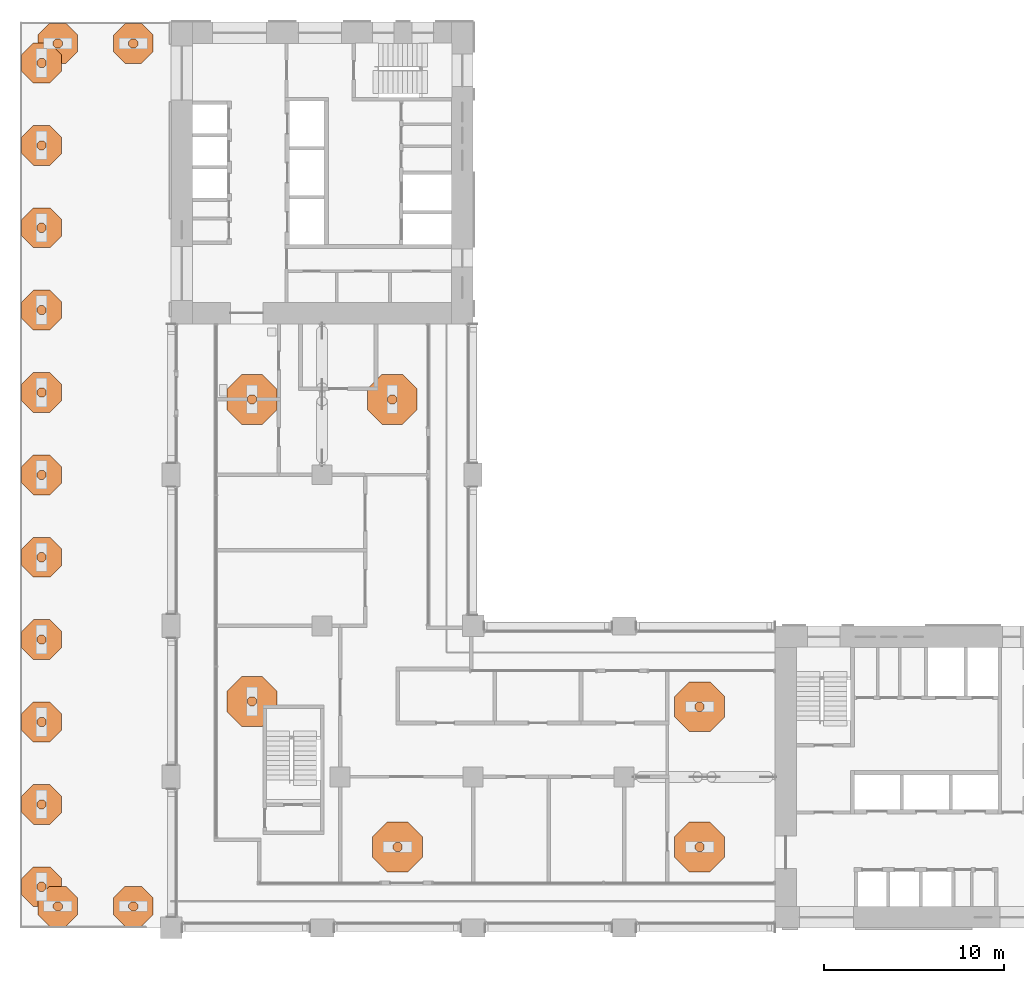
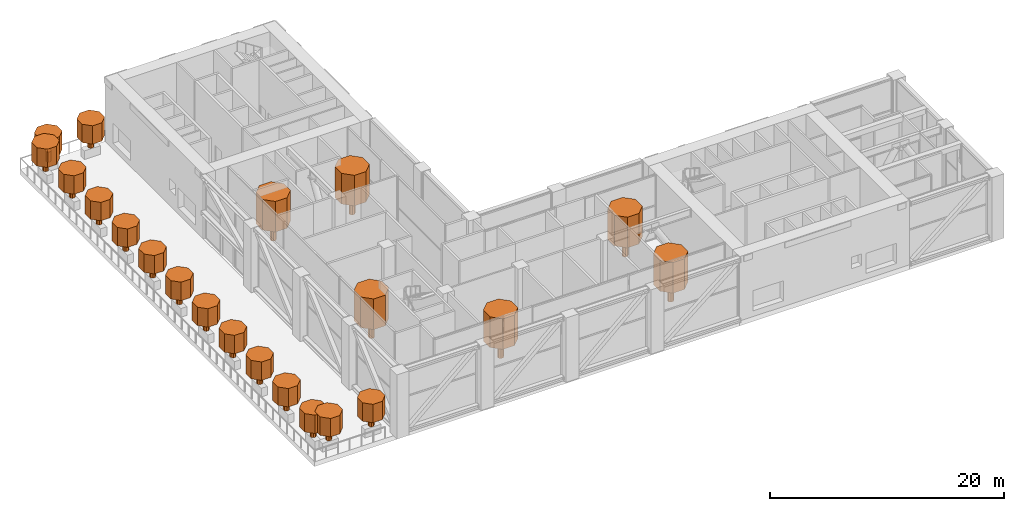
# One storey, part 22 of 22: 42 geographic elements.
"""IFC4 building model written with IfcOpenShell, lengths in metres."""

from ifc_helpers import new_model, si_unit, direction, frame, origin, place, context, subcontext, project, spatial, polyline, outline, extrude, material, element, save


model = new_model("IFC4")

# Units and contexts
model_context = context("Model", 3, precision=1e-05, world=origin(), true_north=direction((0.0, 1.0)))
body_context = subcontext(model_context, "Body", "Model", "MODEL_VIEW")
ifc_project = project(units=[si_unit("LENGTHUNIT", "METRE"), si_unit("AREAUNIT", "SQUARE_METRE"), si_unit("VOLUMEUNIT", "CUBIC_METRE"), si_unit("PLANEANGLEUNIT", "RADIAN"), si_unit("MASSUNIT", "GRAM", prefix="KILO")], contexts=[model_context])

# Site, building, storey
site_placement = place(None, origin())
site = spatial("IfcSite", under=ifc_project, at=site_placement, CompositionType="ELEMENT")
building_placement = place(site_placement, origin())
building = spatial("IfcBuilding", under=site, at=building_placement, Name="Vermilion Gate Residences", CompositionType="ELEMENT")
storey_placement = place(building_placement, frame((0.0, 0.0, 140.699951171875)))
storey = spatial("IfcBuildingStorey", under=building, at=storey_placement, Name="L36", CompositionType="ELEMENT", Elevation=140.699951171875)

# Geographic elements
ifc_material = material(Name="Foliage")
geographic_element_1_placement = place(storey_placement, frame((0.0, 0.0, 0.900146484375)))
element("IfcGeographicElement", 1, at=geographic_element_1_placement, inside=storey, material=ifc_material, Name="Tree (black pine)", ObjectType="TREE", PredefinedType="USERDEFINED", context=body_context, shape_type="SweptSolid", body=[
    extrude(outline(polyline([(2.35400390625, 9.705078125), (2.205078125, 9.85400390625), (1.994873046875, 9.85400390625), (1.845947265625, 9.705078125), (1.845947265625, 9.494873046875), (1.994873046875, 9.345947265625), (2.205078125, 9.345947265625), (2.35400390625, 9.494873046875), (2.35400390625, 9.705078125)])), origin(), (0.0, 0.0, 1.0), 1.079833984375),
])
geographic_element_2_placement = place(storey_placement, frame((0.0, 0.0, 1.97998046875)))
element("IfcGeographicElement", 2, at=geographic_element_2_placement, inside=storey, material=ifc_material, Name="Tree crown (black pine)", ObjectType="TREE", PredefinedType="USERDEFINED", context=body_context, shape_type="SweptSolid", body=[
    extrude(outline(polyline([(3.208740234375, 10.05908203125), (2.55908203125, 10.708740234375), (1.640869140625, 10.708740234375), (0.9912109375, 10.05908203125), (0.9912109375, 9.140869140625), (1.640869140625, 8.4912109375), (2.55908203125, 8.4912109375), (3.208740234375, 9.140869140625), (3.208740234375, 10.05908203125)])), origin(), (0.0, 0.0, 1.0), 1.920166015625),
])
geographic_element_3_placement = place(storey_placement, frame((0.0, 0.0, 0.900146484375)))
element("IfcGeographicElement", 3, at=geographic_element_3_placement, inside=storey, material=ifc_material, Name="Tree (fringe tree)", ObjectType="TREE", PredefinedType="USERDEFINED", context=body_context, shape_type="SweptSolid", body=[
    extrude(outline(polyline([(6.55419921875, 9.705078125), (6.4052734375, 9.85400390625), (6.19482421875, 9.85400390625), (6.0458984375, 9.705078125), (6.0458984375, 9.494873046875), (6.19482421875, 9.345947265625), (6.4052734375, 9.345947265625), (6.55419921875, 9.494873046875), (6.55419921875, 9.705078125)])), origin(), (0.0, 0.0, 1.0), 1.079833984375),
])
geographic_element_4_placement = place(storey_placement, frame((0.0, 0.0, 1.97998046875)))
element("IfcGeographicElement", 4, at=geographic_element_4_placement, inside=storey, material=ifc_material, Name="Tree crown (fringe tree)", ObjectType="TREE", PredefinedType="USERDEFINED", context=body_context, shape_type="SweptSolid", body=[
    extrude(outline(polyline([(7.40869140625, 10.05908203125), (6.75927734375, 10.708740234375), (5.8408203125, 10.708740234375), (5.19140625, 10.05908203125), (5.19140625, 9.140869140625), (5.8408203125, 8.4912109375), (6.75927734375, 8.4912109375), (7.40869140625, 9.140869140625), (7.40869140625, 10.05908203125)])), origin(), (0.0, 0.0, 1.0), 1.920166015625),
])
geographic_element_5_placement = place(storey_placement, frame((0.0, 0.0, 0.900146484375)))
element("IfcGeographicElement", 5, at=geographic_element_5_placement, inside=storey, material=ifc_material, Name="Tree (fringe tree)", ObjectType="TREE", PredefinedType="USERDEFINED", context=body_context, shape_type="SweptSolid", body=[
    extrude(outline(polyline([(6.55419921875, 57.705078125), (6.4052734375, 57.85400390625), (6.19482421875, 57.85400390625), (6.0458984375, 57.705078125), (6.0458984375, 57.494873046875), (6.19482421875, 57.345947265625), (6.4052734375, 57.345947265625), (6.55419921875, 57.494873046875), (6.55419921875, 57.705078125)])), origin(), (0.0, 0.0, 1.0), 1.079833984375),
])
geographic_element_6_placement = place(storey_placement, frame((0.0, 0.0, 1.97998046875)))
element("IfcGeographicElement", 6, at=geographic_element_6_placement, inside=storey, material=ifc_material, Name="Tree crown (fringe tree)", ObjectType="TREE", PredefinedType="USERDEFINED", context=body_context, shape_type="SweptSolid", body=[
    extrude(outline(polyline([(7.40869140625, 58.05908203125), (6.75927734375, 58.708740234375), (5.8408203125, 58.708740234375), (5.19140625, 58.05908203125), (5.19140625, 57.140869140625), (5.8408203125, 56.4912109375), (6.75927734375, 56.4912109375), (7.40869140625, 57.140869140625), (7.40869140625, 58.05908203125)])), origin(), (0.0, 0.0, 1.0), 1.920166015625),
])
geographic_element_7_placement = place(storey_placement, frame((0.0, 0.0, 0.900146484375)))
element("IfcGeographicElement", 7, at=geographic_element_7_placement, inside=storey, material=ifc_material, Name="Tree (maple)", ObjectType="TREE", PredefinedType="USERDEFINED", context=body_context, shape_type="SweptSolid", body=[
    extrude(outline(polyline([(2.35400390625, 57.705078125), (2.205078125, 57.85400390625), (1.994873046875, 57.85400390625), (1.845947265625, 57.705078125), (1.845947265625, 57.494873046875), (1.994873046875, 57.345947265625), (2.205078125, 57.345947265625), (2.35400390625, 57.494873046875), (2.35400390625, 57.705078125)])), origin(), (0.0, 0.0, 1.0), 1.079833984375),
])
geographic_element_8_placement = place(storey_placement, frame((0.0, 0.0, 1.97998046875)))
element("IfcGeographicElement", 8, at=geographic_element_8_placement, inside=storey, material=ifc_material, Name="Tree crown (maple)", ObjectType="TREE", PredefinedType="USERDEFINED", context=body_context, shape_type="SweptSolid", body=[
    extrude(outline(polyline([(3.208740234375, 58.05908203125), (2.55908203125, 58.708740234375), (1.640869140625, 58.708740234375), (0.9912109375, 58.05908203125), (0.9912109375, 57.140869140625), (1.640869140625, 56.4912109375), (2.55908203125, 56.4912109375), (3.208740234375, 57.140869140625), (3.208740234375, 58.05908203125)])), origin(), (0.0, 0.0, 1.0), 1.920166015625),
])
geographic_element_9_placement = place(storey_placement, frame((0.0, 0.0, 0.900146484375)))
element("IfcGeographicElement", 9, at=geographic_element_9_placement, inside=storey, material=ifc_material, Name="Tree (maple)", ObjectType="TREE", PredefinedType="USERDEFINED", context=body_context, shape_type="SweptSolid", body=[
    extrude(outline(polyline([(1.4541015625, 56.6142578125), (1.30517578125, 56.76318359375), (1.0947265625, 56.76318359375), (0.94580078125, 56.6142578125), (0.94580078125, 56.40380859375), (1.0947265625, 56.2548828125), (1.30517578125, 56.2548828125), (1.4541015625, 56.40380859375), (1.4541015625, 56.6142578125)])), origin(), (0.0, 0.0, 1.0), 1.079833984375),
])
geographic_element_10_placement = place(storey_placement, frame((0.0, 0.0, 1.97998046875)))
element("IfcGeographicElement", 10, at=geographic_element_10_placement, inside=storey, material=ifc_material, Name="Tree crown (maple)", ObjectType="TREE", PredefinedType="USERDEFINED", context=body_context, shape_type="SweptSolid", body=[
    extrude(outline(polyline([(2.30859375, 56.96826171875), (1.6591796875, 57.61767578125), (0.74072265625, 57.61767578125), (0.09130859375, 56.96826171875), (0.09130859375, 56.0498046875), (0.74072265625, 55.400390625), (1.6591796875, 55.400390625), (2.30859375, 56.0498046875), (2.30859375, 56.96826171875)])), origin(), (0.0, 0.0, 1.0), 1.920166015625),
])
geographic_element_11_placement = place(storey_placement, frame((0.0, 0.0, 0.900146484375)))
element("IfcGeographicElement", 11, at=geographic_element_11_placement, inside=storey, material=ifc_material, Name="Tree (zelkova)", ObjectType="TREE", PredefinedType="USERDEFINED", context=body_context, shape_type="SweptSolid", body=[
    extrude(outline(polyline([(1.4541015625, 52.032470703125), (1.30517578125, 52.181396484375), (1.0947265625, 52.181396484375), (0.94580078125, 52.032470703125), (0.94580078125, 51.822021484375), (1.0947265625, 51.673095703125), (1.30517578125, 51.673095703125), (1.4541015625, 51.822021484375), (1.4541015625, 52.032470703125)])), origin(), (0.0, 0.0, 1.0), 1.079833984375),
])
geographic_element_12_placement = place(storey_placement, frame((0.0, 0.0, 1.97998046875)))
element("IfcGeographicElement", 12, at=geographic_element_12_placement, inside=storey, material=ifc_material, Name="Tree crown (zelkova)", ObjectType="TREE", PredefinedType="USERDEFINED", context=body_context, shape_type="SweptSolid", body=[
    extrude(outline(polyline([(2.30859375, 52.386474609375), (1.6591796875, 53.035888671875), (0.74072265625, 53.035888671875), (0.09130859375, 52.386474609375), (0.09130859375, 51.468017578125), (0.74072265625, 50.818603515625), (1.6591796875, 50.818603515625), (2.30859375, 51.468017578125), (2.30859375, 52.386474609375)])), origin(), (0.0, 0.0, 1.0), 1.920166015625),
])
geographic_element_13_placement = place(storey_placement, frame((0.0, 0.0, 0.900146484375)))
element("IfcGeographicElement", 13, at=geographic_element_13_placement, inside=storey, material=ifc_material, Name="Tree (black pine)", ObjectType="TREE", PredefinedType="USERDEFINED", context=body_context, shape_type="SweptSolid", body=[
    extrude(outline(polyline([(1.4541015625, 47.45068359375), (1.30517578125, 47.599609375), (1.0947265625, 47.599609375), (0.94580078125, 47.45068359375), (0.94580078125, 47.240234375), (1.0947265625, 47.09130859375), (1.30517578125, 47.09130859375), (1.4541015625, 47.240234375), (1.4541015625, 47.45068359375)])), origin(), (0.0, 0.0, 1.0), 1.079833984375),
])
geographic_element_14_placement = place(storey_placement, frame((0.0, 0.0, 1.97998046875)))
element("IfcGeographicElement", 14, at=geographic_element_14_placement, inside=storey, material=ifc_material, Name="Tree crown (black pine)", ObjectType="TREE", PredefinedType="USERDEFINED", context=body_context, shape_type="SweptSolid", body=[
    extrude(outline(polyline([(2.30859375, 47.8046875), (1.6591796875, 48.4541015625), (0.74072265625, 48.4541015625), (0.09130859375, 47.8046875), (0.09130859375, 46.88623046875), (0.74072265625, 46.23681640625), (1.6591796875, 46.23681640625), (2.30859375, 46.88623046875), (2.30859375, 47.8046875)])), origin(), (0.0, 0.0, 1.0), 1.920166015625),
])
geographic_element_15_placement = place(storey_placement, frame((0.0, 0.0, 0.900146484375)))
element("IfcGeographicElement", 15, at=geographic_element_15_placement, inside=storey, material=ifc_material, Name="Tree (fringe tree)", ObjectType="TREE", PredefinedType="USERDEFINED", context=body_context, shape_type="SweptSolid", body=[
    extrude(outline(polyline([(1.4541015625, 42.868896484375), (1.30517578125, 43.017578125), (1.0947265625, 43.017578125), (0.94580078125, 42.868896484375), (0.94580078125, 42.658447265625), (1.0947265625, 42.509521484375), (1.30517578125, 42.509521484375), (1.4541015625, 42.658447265625), (1.4541015625, 42.868896484375)])), origin(), (0.0, 0.0, 1.0), 1.079833984375),
])
geographic_element_16_placement = place(storey_placement, frame((0.0, 0.0, 1.97998046875)))
element("IfcGeographicElement", 16, at=geographic_element_16_placement, inside=storey, material=ifc_material, Name="Tree crown (fringe tree)", ObjectType="TREE", PredefinedType="USERDEFINED", context=body_context, shape_type="SweptSolid", body=[
    extrude(outline(polyline([(2.30859375, 43.222900390625), (1.6591796875, 43.872314453125), (0.74072265625, 43.872314453125), (0.09130859375, 43.222900390625), (0.09130859375, 42.304443359375), (0.74072265625, 41.655029296875), (1.6591796875, 41.655029296875), (2.30859375, 42.304443359375), (2.30859375, 43.222900390625)])), origin(), (0.0, 0.0, 1.0), 1.920166015625),
])
geographic_element_17_placement = place(storey_placement, frame((0.0, 0.0, 0.900146484375)))
element("IfcGeographicElement", 17, at=geographic_element_17_placement, inside=storey, material=ifc_material, Name="Tree (maple)", ObjectType="TREE", PredefinedType="USERDEFINED", context=body_context, shape_type="SweptSolid", body=[
    extrude(outline(polyline([(1.4541015625, 38.287109375), (1.30517578125, 38.435791015625), (1.0947265625, 38.435791015625), (0.94580078125, 38.287109375), (0.94580078125, 38.07666015625), (1.0947265625, 37.927734375), (1.30517578125, 37.927734375), (1.4541015625, 38.07666015625), (1.4541015625, 38.287109375)])), origin(), (0.0, 0.0, 1.0), 1.079833984375),
])
geographic_element_18_placement = place(storey_placement, frame((0.0, 0.0, 1.97998046875)))
element("IfcGeographicElement", 18, at=geographic_element_18_placement, inside=storey, material=ifc_material, Name="Tree crown (maple)", ObjectType="TREE", PredefinedType="USERDEFINED", context=body_context, shape_type="SweptSolid", body=[
    extrude(outline(polyline([(2.30859375, 38.64111328125), (1.6591796875, 39.29052734375), (0.74072265625, 39.29052734375), (0.09130859375, 38.64111328125), (0.09130859375, 37.72265625), (0.74072265625, 37.0732421875), (1.6591796875, 37.0732421875), (2.30859375, 37.72265625), (2.30859375, 38.64111328125)])), origin(), (0.0, 0.0, 1.0), 1.920166015625),
])
geographic_element_19_placement = place(storey_placement, frame((0.0, 0.0, 0.900146484375)))
element("IfcGeographicElement", 19, at=geographic_element_19_placement, inside=storey, material=ifc_material, Name="Tree (zelkova)", ObjectType="TREE", PredefinedType="USERDEFINED", context=body_context, shape_type="SweptSolid", body=[
    extrude(outline(polyline([(1.4541015625, 33.705078125), (1.30517578125, 33.85400390625), (1.0947265625, 33.85400390625), (0.94580078125, 33.705078125), (0.94580078125, 33.494873046875), (1.0947265625, 33.345947265625), (1.30517578125, 33.345947265625), (1.4541015625, 33.494873046875), (1.4541015625, 33.705078125)])), origin(), (0.0, 0.0, 1.0), 1.079833984375),
])
geographic_element_20_placement = place(storey_placement, frame((0.0, 0.0, 1.97998046875)))
element("IfcGeographicElement", 20, at=geographic_element_20_placement, inside=storey, material=ifc_material, Name="Tree crown (zelkova)", ObjectType="TREE", PredefinedType="USERDEFINED", context=body_context, shape_type="SweptSolid", body=[
    extrude(outline(polyline([(2.30859375, 34.05908203125), (1.6591796875, 34.708740234375), (0.74072265625, 34.708740234375), (0.09130859375, 34.05908203125), (0.09130859375, 33.140869140625), (0.74072265625, 32.4912109375), (1.6591796875, 32.4912109375), (2.30859375, 33.140869140625), (2.30859375, 34.05908203125)])), origin(), (0.0, 0.0, 1.0), 1.920166015625),
])
geographic_element_21_placement = place(storey_placement, frame((0.0, 0.0, 0.900146484375)))
element("IfcGeographicElement", 21, at=geographic_element_21_placement, inside=storey, material=ifc_material, Name="Tree (black pine)", ObjectType="TREE", PredefinedType="USERDEFINED", context=body_context, shape_type="SweptSolid", body=[
    extrude(outline(polyline([(1.4541015625, 29.123291015625), (1.30517578125, 29.272216796875), (1.0947265625, 29.272216796875), (0.94580078125, 29.123291015625), (0.94580078125, 28.912841796875), (1.0947265625, 28.76416015625), (1.30517578125, 28.76416015625), (1.4541015625, 28.912841796875), (1.4541015625, 29.123291015625)])), origin(), (0.0, 0.0, 1.0), 1.079833984375),
])
geographic_element_22_placement = place(storey_placement, frame((0.0, 0.0, 1.97998046875)))
element("IfcGeographicElement", 22, at=geographic_element_22_placement, inside=storey, material=ifc_material, Name="Tree crown (black pine)", ObjectType="TREE", PredefinedType="USERDEFINED", context=body_context, shape_type="SweptSolid", body=[
    extrude(outline(polyline([(2.30859375, 29.477294921875), (1.6591796875, 30.126708984375), (0.74072265625, 30.126708984375), (0.09130859375, 29.477294921875), (0.09130859375, 28.55908203125), (0.74072265625, 27.909423828125), (1.6591796875, 27.909423828125), (2.30859375, 28.55908203125), (2.30859375, 29.477294921875)])), origin(), (0.0, 0.0, 1.0), 1.920166015625),
])
geographic_element_23_placement = place(storey_placement, frame((0.0, 0.0, 0.900146484375)))
element("IfcGeographicElement", 23, at=geographic_element_23_placement, inside=storey, material=ifc_material, Name="Tree (fringe tree)", ObjectType="TREE", PredefinedType="USERDEFINED", context=body_context, shape_type="SweptSolid", body=[
    extrude(outline(polyline([(1.4541015625, 24.54150390625), (1.30517578125, 24.6904296875), (1.0947265625, 24.6904296875), (0.94580078125, 24.54150390625), (0.94580078125, 24.3310546875), (1.0947265625, 24.182373046875), (1.30517578125, 24.182373046875), (1.4541015625, 24.3310546875), (1.4541015625, 24.54150390625)])), origin(), (0.0, 0.0, 1.0), 1.079833984375),
])
geographic_element_24_placement = place(storey_placement, frame((0.0, 0.0, 1.97998046875)))
element("IfcGeographicElement", 24, at=geographic_element_24_placement, inside=storey, material=ifc_material, Name="Tree crown (fringe tree)", ObjectType="TREE", PredefinedType="USERDEFINED", context=body_context, shape_type="SweptSolid", body=[
    extrude(outline(polyline([(2.30859375, 24.8955078125), (1.6591796875, 25.544921875), (0.74072265625, 25.544921875), (0.09130859375, 24.8955078125), (0.09130859375, 23.97705078125), (0.74072265625, 23.32763671875), (1.6591796875, 23.32763671875), (2.30859375, 23.97705078125), (2.30859375, 24.8955078125)])), origin(), (0.0, 0.0, 1.0), 1.920166015625),
])
geographic_element_25_placement = place(storey_placement, frame((0.0, 0.0, 0.900146484375)))
element("IfcGeographicElement", 25, at=geographic_element_25_placement, inside=storey, material=ifc_material, Name="Tree (maple)", ObjectType="TREE", PredefinedType="USERDEFINED", context=body_context, shape_type="SweptSolid", body=[
    extrude(outline(polyline([(1.4541015625, 19.959716796875), (1.30517578125, 20.108642578125), (1.0947265625, 20.108642578125), (0.94580078125, 19.959716796875), (0.94580078125, 19.749267578125), (1.0947265625, 19.6005859375), (1.30517578125, 19.6005859375), (1.4541015625, 19.749267578125), (1.4541015625, 19.959716796875)])), origin(), (0.0, 0.0, 1.0), 1.079833984375),
])
geographic_element_26_placement = place(storey_placement, frame((0.0, 0.0, 1.97998046875)))
element("IfcGeographicElement", 26, at=geographic_element_26_placement, inside=storey, material=ifc_material, Name="Tree crown (maple)", ObjectType="TREE", PredefinedType="USERDEFINED", context=body_context, shape_type="SweptSolid", body=[
    extrude(outline(polyline([(2.30859375, 20.313720703125), (1.6591796875, 20.963134765625), (0.74072265625, 20.963134765625), (0.09130859375, 20.313720703125), (0.09130859375, 19.395263671875), (0.74072265625, 18.745849609375), (1.6591796875, 18.745849609375), (2.30859375, 19.395263671875), (2.30859375, 20.313720703125)])), origin(), (0.0, 0.0, 1.0), 1.920166015625),
])
geographic_element_27_placement = place(storey_placement, frame((0.0, 0.0, 0.900146484375)))
element("IfcGeographicElement", 27, at=geographic_element_27_placement, inside=storey, material=ifc_material, Name="Tree (zelkova)", ObjectType="TREE", PredefinedType="USERDEFINED", context=body_context, shape_type="SweptSolid", body=[
    extrude(outline(polyline([(1.4541015625, 15.3779296875), (1.30517578125, 15.52685546875), (1.0947265625, 15.52685546875), (0.94580078125, 15.3779296875), (0.94580078125, 15.16748046875), (1.0947265625, 15.018798828125), (1.30517578125, 15.018798828125), (1.4541015625, 15.16748046875), (1.4541015625, 15.3779296875)])), origin(), (0.0, 0.0, 1.0), 1.079833984375),
])
geographic_element_28_placement = place(storey_placement, frame((0.0, 0.0, 1.97998046875)))
element("IfcGeographicElement", 28, at=geographic_element_28_placement, inside=storey, material=ifc_material, Name="Tree crown (zelkova)", ObjectType="TREE", PredefinedType="USERDEFINED", context=body_context, shape_type="SweptSolid", body=[
    extrude(outline(polyline([(2.30859375, 15.73193359375), (1.6591796875, 16.38134765625), (0.74072265625, 16.38134765625), (0.09130859375, 15.73193359375), (0.09130859375, 14.8134765625), (0.74072265625, 14.1640625), (1.6591796875, 14.1640625), (2.30859375, 14.8134765625), (2.30859375, 15.73193359375)])), origin(), (0.0, 0.0, 1.0), 1.920166015625),
])
geographic_element_29_placement = place(storey_placement, frame((0.0, 0.0, 0.900146484375)))
element("IfcGeographicElement", 29, at=geographic_element_29_placement, inside=storey, material=ifc_material, Name="Tree (black pine)", ObjectType="TREE", PredefinedType="USERDEFINED", context=body_context, shape_type="SweptSolid", body=[
    extrude(outline(polyline([(1.4541015625, 10.796142578125), (1.30517578125, 10.945068359375), (1.0947265625, 10.945068359375), (0.94580078125, 10.796142578125), (0.94580078125, 10.585693359375), (1.0947265625, 10.436767578125), (1.30517578125, 10.436767578125), (1.4541015625, 10.585693359375), (1.4541015625, 10.796142578125)])), origin(), (0.0, 0.0, 1.0), 1.079833984375),
])
geographic_element_30_placement = place(storey_placement, frame((0.0, 0.0, 1.97998046875)))
element("IfcGeographicElement", 30, at=geographic_element_30_placement, inside=storey, material=ifc_material, Name="Tree crown (black pine)", ObjectType="TREE", PredefinedType="USERDEFINED", context=body_context, shape_type="SweptSolid", body=[
    extrude(outline(polyline([(2.30859375, 11.150146484375), (1.6591796875, 11.799560546875), (0.74072265625, 11.799560546875), (0.09130859375, 11.150146484375), (0.09130859375, 10.231689453125), (0.74072265625, 9.582275390625), (1.6591796875, 9.582275390625), (2.30859375, 10.231689453125), (2.30859375, 11.150146484375)])), origin(), (0.0, 0.0, 1.0), 1.920166015625),
])
geographic_element_31_placement = place(storey_placement, frame((0.0, 0.0, 0.900146484375)))
element("IfcGeographicElement", 31, at=geographic_element_31_placement, inside=storey, material=ifc_material, Name="Tree (black pine)", ObjectType="TREE", PredefinedType="USERDEFINED", context=body_context, shape_type="SweptSolid", body=[
    extrude(outline(polyline([(13.154052734375, 21.105224609375), (13.005126953125, 21.254150390625), (12.794921875, 21.254150390625), (12.64599609375, 21.105224609375), (12.64599609375, 20.894775390625), (12.794921875, 20.745849609375), (13.005126953125, 20.745849609375), (13.154052734375, 20.894775390625), (13.154052734375, 21.105224609375)])), origin(), (0.0, 0.0, 1.0), 1.7998046875),
])
geographic_element_32_placement = place(storey_placement, frame((0.0, 0.0, 2.699951171875)))
element("IfcGeographicElement", 32, at=geographic_element_32_placement, inside=storey, material=ifc_material, Name="Tree crown (black pine)", ObjectType="TREE", PredefinedType="USERDEFINED", context=body_context, shape_type="SweptSolid", body=[
    extrude(outline(polyline([(14.285888671875, 21.573974609375), (13.47412109375, 22.3857421875), (12.325927734375, 22.3857421875), (11.51416015625, 21.573974609375), (11.51416015625, 20.426025390625), (12.325927734375, 19.6142578125), (13.47412109375, 19.6142578125), (14.285888671875, 20.426025390625), (14.285888671875, 21.573974609375)])), origin(), (0.0, 0.0, 1.0), 3.2001953125),
])
geographic_element_33_placement = place(storey_placement, frame((0.0, 0.0, 0.900146484375)))
element("IfcGeographicElement", 33, at=geographic_element_33_placement, inside=storey, material=ifc_material, Name="Tree (fringe tree)", ObjectType="TREE", PredefinedType="USERDEFINED", context=body_context, shape_type="SweptSolid", body=[
    extrude(outline(polyline([(13.154052734375, 37.9052734375), (13.005126953125, 38.05419921875), (12.794921875, 38.05419921875), (12.64599609375, 37.9052734375), (12.64599609375, 37.69482421875), (12.794921875, 37.5458984375), (13.005126953125, 37.5458984375), (13.154052734375, 37.69482421875), (13.154052734375, 37.9052734375)])), origin(), (0.0, 0.0, 1.0), 1.7998046875),
])
geographic_element_34_placement = place(storey_placement, frame((0.0, 0.0, 2.699951171875)))
element("IfcGeographicElement", 34, at=geographic_element_34_placement, inside=storey, material=ifc_material, Name="Tree crown (fringe tree)", ObjectType="TREE", PredefinedType="USERDEFINED", context=body_context, shape_type="SweptSolid", body=[
    extrude(outline(polyline([(14.285888671875, 38.3740234375), (13.47412109375, 39.185791015625), (12.325927734375, 39.185791015625), (11.51416015625, 38.3740234375), (11.51416015625, 37.22607421875), (12.325927734375, 36.414306640625), (13.47412109375, 36.414306640625), (14.285888671875, 37.22607421875), (14.285888671875, 38.3740234375)])), origin(), (0.0, 0.0, 1.0), 3.2001953125),
])
geographic_element_35_placement = place(storey_placement, frame((0.0, 0.0, 0.900146484375)))
element("IfcGeographicElement", 35, at=geographic_element_35_placement, inside=storey, material=ifc_material, Name="Tree (maple)", ObjectType="TREE", PredefinedType="USERDEFINED", context=body_context, shape_type="SweptSolid", body=[
    extrude(outline(polyline([(21.254150390625, 13.005126953125), (21.105224609375, 13.154052734375), (20.894775390625, 13.154052734375), (20.745849609375, 13.005126953125), (20.745849609375, 12.794921875), (20.894775390625, 12.64599609375), (21.105224609375, 12.64599609375), (21.254150390625, 12.794921875), (21.254150390625, 13.005126953125)])), origin(), (0.0, 0.0, 1.0), 1.7998046875),
])
geographic_element_36_placement = place(storey_placement, frame((0.0, 0.0, 2.699951171875)))
element("IfcGeographicElement", 36, at=geographic_element_36_placement, inside=storey, material=ifc_material, Name="Tree crown (maple)", ObjectType="TREE", PredefinedType="USERDEFINED", context=body_context, shape_type="SweptSolid", body=[
    extrude(outline(polyline([(22.3857421875, 13.47412109375), (21.573974609375, 14.285888671875), (20.426025390625, 14.285888671875), (19.6142578125, 13.47412109375), (19.6142578125, 12.325927734375), (20.426025390625, 11.51416015625), (21.573974609375, 11.51416015625), (22.3857421875, 12.325927734375), (22.3857421875, 13.47412109375)])), origin(), (0.0, 0.0, 1.0), 3.2001953125),
])
geographic_element_37_placement = place(storey_placement, frame((0.0, 0.0, 0.900146484375)))
element("IfcGeographicElement", 37, at=geographic_element_37_placement, inside=storey, material=ifc_material, Name="Tree (zelkova)", ObjectType="TREE", PredefinedType="USERDEFINED", context=body_context, shape_type="SweptSolid", body=[
    extrude(outline(polyline([(38.05419921875, 13.005126953125), (37.9052734375, 13.154052734375), (37.69482421875, 13.154052734375), (37.5458984375, 13.005126953125), (37.5458984375, 12.794921875), (37.69482421875, 12.64599609375), (37.9052734375, 12.64599609375), (38.05419921875, 12.794921875), (38.05419921875, 13.005126953125)])), origin(), (0.0, 0.0, 1.0), 1.7998046875),
])
geographic_element_38_placement = place(storey_placement, frame((0.0, 0.0, 2.699951171875)))
element("IfcGeographicElement", 38, at=geographic_element_38_placement, inside=storey, material=ifc_material, Name="Tree crown (zelkova)", ObjectType="TREE", PredefinedType="USERDEFINED", context=body_context, shape_type="SweptSolid", body=[
    extrude(outline(polyline([(39.185791015625, 13.47412109375), (38.3740234375, 14.285888671875), (37.22607421875, 14.285888671875), (36.414306640625, 13.47412109375), (36.414306640625, 12.325927734375), (37.22607421875, 11.51416015625), (38.3740234375, 11.51416015625), (39.185791015625, 12.325927734375), (39.185791015625, 13.47412109375)])), origin(), (0.0, 0.0, 1.0), 3.2001953125),
])
geographic_element_39_placement = place(storey_placement, frame((0.0, 0.0, 0.900146484375)))
element("IfcGeographicElement", 39, at=geographic_element_39_placement, inside=storey, material=ifc_material, Name="Tree (black pine)", ObjectType="TREE", PredefinedType="USERDEFINED", context=body_context, shape_type="SweptSolid", body=[
    extrude(outline(polyline([(38.05419921875, 20.80517578125), (37.9052734375, 20.9541015625), (37.69482421875, 20.9541015625), (37.5458984375, 20.80517578125), (37.5458984375, 20.5947265625), (37.69482421875, 20.44580078125), (37.9052734375, 20.44580078125), (38.05419921875, 20.5947265625), (38.05419921875, 20.80517578125)])), origin(), (0.0, 0.0, 1.0), 1.7998046875),
])
geographic_element_40_placement = place(storey_placement, frame((0.0, 0.0, 2.699951171875)))
element("IfcGeographicElement", 40, at=geographic_element_40_placement, inside=storey, material=ifc_material, Name="Tree crown (black pine)", ObjectType="TREE", PredefinedType="USERDEFINED", context=body_context, shape_type="SweptSolid", body=[
    extrude(outline(polyline([(39.185791015625, 21.27392578125), (38.3740234375, 22.085693359375), (37.22607421875, 22.085693359375), (36.414306640625, 21.27392578125), (36.414306640625, 20.1259765625), (37.22607421875, 19.314208984375), (38.3740234375, 19.314208984375), (39.185791015625, 20.1259765625), (39.185791015625, 21.27392578125)])), origin(), (0.0, 0.0, 1.0), 3.2001953125),
])
geographic_element_41_placement = place(storey_placement, frame((0.0, 0.0, 0.900146484375)))
element("IfcGeographicElement", 41, at=geographic_element_41_placement, inside=storey, material=ifc_material, Name="Tree (fringe tree)", ObjectType="TREE", PredefinedType="USERDEFINED", context=body_context, shape_type="SweptSolid", body=[
    extrude(outline(polyline([(20.9541015625, 37.9052734375), (20.80517578125, 38.05419921875), (20.5947265625, 38.05419921875), (20.44580078125, 37.9052734375), (20.44580078125, 37.69482421875), (20.5947265625, 37.5458984375), (20.80517578125, 37.5458984375), (20.9541015625, 37.69482421875), (20.9541015625, 37.9052734375)])), origin(), (0.0, 0.0, 1.0), 1.7998046875),
])
geographic_element_42_placement = place(storey_placement, frame((0.0, 0.0, 2.699951171875)))
element("IfcGeographicElement", 42, at=geographic_element_42_placement, inside=storey, material=ifc_material, Name="Tree crown (fringe tree)", ObjectType="TREE", PredefinedType="USERDEFINED", context=body_context, shape_type="SweptSolid", body=[
    extrude(outline(polyline([(22.085693359375, 38.3740234375), (21.27392578125, 39.185791015625), (20.1259765625, 39.185791015625), (19.314208984375, 38.3740234375), (19.314208984375, 37.22607421875), (20.1259765625, 36.414306640625), (21.27392578125, 36.414306640625), (22.085693359375, 37.22607421875), (22.085693359375, 38.3740234375)])), origin(), (0.0, 0.0, 1.0), 3.2001953125),
])

save(model, "model.ifc")
